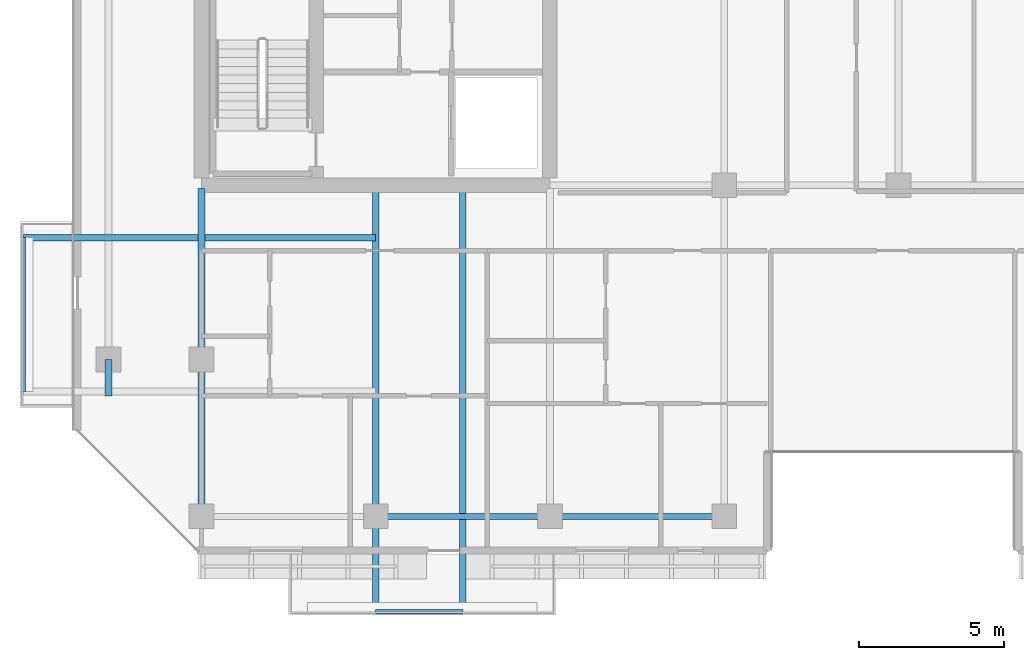
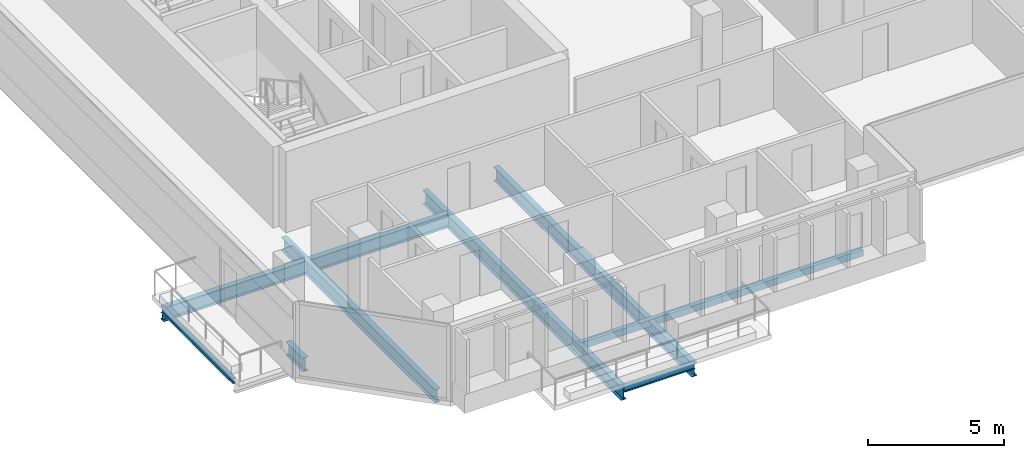
# One storey, part 3 of 30: 9 beams.
"""IFC4 building model written with IfcOpenShell, lengths in metres."""

import ifcopenshell
import ifcopenshell.guid

model = None  # the IFC model being written
_history = None  # IfcOwnerHistory: only IFC2X3 demands one
_inside = {}  # id of a spatial element -> (the spatial element, [elements in it])
_under = {}  # id of a project, library or spatial element -> (it, [spatial elements below it])
_declared = {}  # id of a project -> (the project, [libraries it declares])
_typed = {}  # id of a type object -> (the type object, [elements of that type])
_made_of = {}  # id of a material, layer set ... -> (it, [elements and type objects made of it])


def new_model(schema):
    """Start an empty IFC model of exactly this schema.

    Asked for "IFC4X3", IfcOpenShell would pick the latest addendum, in which some entities
    have other attributes; the version numbers below select the first issue.
    IFC2X3 requires an IfcOwnerHistory on every rooted entity: one is made here for all.
    """
    global model, _history
    if schema == "IFC4X3":
        model = ifcopenshell.file(schema_version=(4, 3, 0, 0))
    else:
        model = ifcopenshell.file(schema=schema)
    _inside.clear()
    _under.clear()
    _declared.clear()
    _typed.clear()
    _made_of.clear()
    _history = None
    if model.schema == "IFC2X3":
        org = make("IfcOrganization", Name="unknown")
        user = make(
            "IfcPersonAndOrganization",
            ThePerson=make("IfcPerson", FamilyName="unknown"),
            TheOrganization=org,
        )
        app = make(
            "IfcApplication",
            ApplicationDeveloper=org,
            Version="unknown",
            ApplicationFullName="unknown",
            ApplicationIdentifier="unknown",
        )
        _history = make(
            "IfcOwnerHistory",
            OwningUser=user,
            OwningApplication=app,
            ChangeAction="ADDED",
            CreationDate=0,
        )
    return model


def make(cls, **values):
    """One entity of the class cls with the attributes given. An attribute that is None is left unset."""
    return model.create_entity(
        cls, **{name: value for name, value in values.items() if value is not None}
    )


def rooted(cls, **values):
    """An entity with a GlobalId (a new one), such as an element, a storey or a relation."""
    return make(cls, GlobalId=ifcopenshell.guid.new(), OwnerHistory=_history, **values)


def si_unit(unit_type, name, prefix=None):
    """IfcSIUnit, for example si_unit("LENGTHUNIT", "METRE", prefix="MILLI")."""
    return make("IfcSIUnit", UnitType=unit_type, Prefix=prefix, Name=name)


def assignment(units):
    """IfcUnitAssignment: the units of a project."""
    return None if units is None else make("IfcUnitAssignment", Units=units)


def point(xyz):
    """IfcCartesianPoint."""
    return None if xyz is None else make("IfcCartesianPoint", Coordinates=xyz)


def direction(xyz):
    """IfcDirection."""
    return None if xyz is None else make("IfcDirection", DirectionRatios=xyz)


def frame(location, z_axis=None, x_axis=None):
    """IfcAxis2Placement3D, a coordinate frame: its origin and axes. An axis left out is left unset."""
    return make(
        "IfcAxis2Placement3D",
        Location=point(location),
        Axis=direction(z_axis),
        RefDirection=direction(x_axis),
    )


def frame_2d(location, x_axis=None):
    """IfcAxis2Placement2D, a coordinate frame in the plane: its origin and x axis."""
    return make(
        "IfcAxis2Placement2D", Location=point(location), RefDirection=direction(x_axis)
    )


def origin():
    """The frame at (0, 0, 0) with its axes left unset."""
    return frame((0.0, 0.0, 0.0))


def origin_2d():
    """The frame at (0, 0) in the plane with its x axis left unset."""
    return frame_2d((0.0, 0.0))


def place(relative_to, where):
    """IfcLocalPlacement: puts the frame where relative to a parent placement (None: the world)."""
    return make(
        "IfcLocalPlacement", PlacementRelTo=relative_to, RelativePlacement=where
    )


def context(
    kind, dimensions, precision=None, world=None, true_north=None, identifier=None
):
    """IfcGeometricRepresentationContext, for example the 3D "Model" context."""
    return make(
        "IfcGeometricRepresentationContext",
        ContextIdentifier=identifier,
        ContextType=kind,
        CoordinateSpaceDimension=dimensions,
        Precision=precision,
        WorldCoordinateSystem=world,
        TrueNorth=true_north,
    )


def subcontext(parent, identifier, kind, view, scale=None):
    """IfcGeometricRepresentationSubContext, for example "Body" below "Model"."""
    return make(
        "IfcGeometricRepresentationSubContext",
        ContextIdentifier=identifier,
        ContextType=kind,
        ParentContext=parent,
        TargetScale=scale,
        TargetView=view,
    )


def project(units=None, contexts=None):
    """IfcProject with its units and contexts."""
    return rooted(
        "IfcProject",
        Name="project",
        RepresentationContexts=contexts,
        UnitsInContext=assignment(units),
    )


def spatial(cls, under=None, at=None, **own):
    """A site, building, storey or space (cls), placed at a placement, below another one or the project."""
    s = rooted(cls, ObjectPlacement=at, **own)
    if under is not None:
        _under.setdefault(under.id(), (under, []))[1].append(s)
    return s


def profile(cls, at=None, kind="AREA", **sizes):
    """A parametric profile (cls). Its sizes go by their IFC names, for example OverallWidth=200.0."""
    return make(cls, ProfileType=kind, Position=at, **sizes)


def hollow_rectangle(**sizes):
    """IfcRectangleHollowProfileDef."""
    return profile("IfcRectangleHollowProfileDef", **sizes)


def i_section(**sizes):
    """IfcIShapeProfileDef."""
    return profile("IfcIShapeProfileDef", **sizes)


def extrude(swept, where, along, depth):
    """IfcExtrudedAreaSolid: the profile swept, set in the frame where, extruded along a direction by depth."""
    return make(
        "IfcExtrudedAreaSolid",
        SweptArea=swept,
        Position=where,
        ExtrudedDirection=direction(along),
        Depth=depth,
    )


def shape(context_of_items, identifier, shape_type, items):
    """IfcShapeRepresentation: the items that make up one representation, for example the "Body"."""
    return make(
        "IfcShapeRepresentation",
        ContextOfItems=context_of_items,
        RepresentationIdentifier=identifier,
        RepresentationType=shape_type,
        Items=items,
    )


def material(Name=None, Category=None):
    """IfcMaterial."""
    return make("IfcMaterial", Name=Name, Category=Category)


def material_profile(
    of_material, cross_section, Name=None, Category=None, Priority=None
):
    """IfcMaterialProfile: a cross section and its material."""
    return make(
        "IfcMaterialProfile",
        Name=Name,
        Material=of_material,
        Profile=cross_section,
        Priority=Priority,
        Category=Category,
    )


def profile_set(profiles, Name=None, composite=None):
    """IfcMaterialProfileSet."""
    return make(
        "IfcMaterialProfileSet",
        Name=Name,
        MaterialProfiles=profiles,
        CompositeProfile=composite,
    )


def made_of(thing, what):
    """Note that an element or type object is made of a material, layer set ...; save() writes the relation."""
    if what is not None:
        _made_of.setdefault(what.id(), (what, []))[1].append(thing)
    return thing


def type_object(cls, material=None, **own):
    """A type object (cls), such as IfcWallType, which elements share."""
    return made_of(rooted(cls, **own), material)


def element(
    cls,
    number,
    at=None,
    inside=None,
    cuts=None,
    type_object=None,
    material=None,
    context=None,
    identifier="Body",
    shape_type=None,
    held_by="IfcProductDefinitionShape",
    body=None,
    shapes=None,
    **own,
):
    """One element of the class cls, such as IfcWall. Its Tag is "e" and its number.

    at: its placement. inside: the storey or other place that contains it. cuts: it is an
    opening in that element (IfcRelVoidsElement). A single representation is given by context,
    identifier, shape_type and body (its items); several are given by shapes. held_by: the class
    of the entity that holds the representations. save() writes the other relations.
    """
    e = rooted(cls, Tag="e%d" % number, ObjectPlacement=at, **own)
    if body is not None:
        shapes = [shape(context, identifier, shape_type, body)]
    if shapes is not None:
        e.Representation = make(held_by, Representations=shapes)
    if inside is not None:
        _inside.setdefault(inside.id(), (inside, []))[1].append(e)
    if cuts is not None:
        rooted(
            "IfcRelVoidsElement", RelatingBuildingElement=cuts, RelatedOpeningElement=e
        )
    if type_object is not None:
        _typed.setdefault(type_object.id(), (type_object, []))[1].append(e)
    return made_of(e, material)


def aggregate(whole, parts):
    """IfcRelAggregates: a whole, such as a stair, and the parts it consists of."""
    return rooted("IfcRelAggregates", RelatingObject=whole, RelatedObjects=parts)


def save(model, path):
    """Write the relations noted so far, then the file.

    IfcRelAggregates (storeys below a building ...), IfcRelContainedInSpatialStructure (elements
    in a storey), IfcRelDefinesByType, IfcRelAssociatesMaterial and IfcRelDeclares: one each for
    every whole, place, type object, material and project.
    """
    for whole, parts in _under.values():
        aggregate(whole, parts)
    for where, things in _inside.values():
        rooted(
            "IfcRelContainedInSpatialStructure",
            RelatedElements=things,
            RelatingStructure=where,
        )
    for kind, things in _typed.values():
        rooted("IfcRelDefinesByType", RelatedObjects=things, RelatingType=kind)
    for what, things in _made_of.values():
        rooted("IfcRelAssociatesMaterial", RelatedObjects=things, RelatingMaterial=what)
    for by, libraries in _declared.values():
        rooted("IfcRelDeclares", RelatingContext=by, RelatedDefinitions=libraries)
    model.write(path)


model = new_model("IFC4")

# Units and contexts
model_context = context("Model", 3, precision=1e-05, world=origin(), true_north=direction((0.0, 1.0)))
body_context = subcontext(model_context, "Body", "Model", "MODEL_VIEW")
ifc_project = project(units=[si_unit("LENGTHUNIT", "METRE"), si_unit("AREAUNIT", "SQUARE_METRE"), si_unit("VOLUMEUNIT", "CUBIC_METRE"), si_unit("PLANEANGLEUNIT", "RADIAN"), si_unit("MASSUNIT", "GRAM", prefix="KILO")], contexts=[model_context])

# Site, building, storey
site_placement = place(None, origin())
site = spatial("IfcSite", under=ifc_project, at=site_placement, CompositionType="ELEMENT")
building_placement = place(site_placement, origin())
building = spatial("IfcBuilding", under=site, at=building_placement, Name="Tanjung Sevakor Pilgrim Tower", CompositionType="ELEMENT")
storey_placement = place(building_placement, frame((0.0, 0.0, 165.659912109375)))
storey = spatial("IfcBuildingStorey", under=building, at=storey_placement, Name="L46", CompositionType="ELEMENT", Elevation=165.659912109375)

# Beams
ifc_material_1 = material(Name="Steel S355J2", Category="steel")
ifc_material_profile_1 = material_profile(ifc_material_1, i_section(OverallWidth=0.22900390625, OverallDepth=0.6123046875, WebThickness=0.011962890625, FlangeThickness=0.01953125, FilletRadius=0.0126953125, at=origin_2d()))
ifc_profile_set_1 = profile_set([ifc_material_profile_1], Name="Steel S355J2")
beam_type_1 = type_object("IfcBeamType", Name="BM-B-G4-UB_610x229x125", PredefinedType="BEAM", material=ifc_profile_set_1)
beam_1_placement = place(storey_placement, frame((20.800048828125, 18.60009765625, -0.526123046875), z_axis=(0.0, -1.0, 0.0), x_axis=(1.0, 0.0, 0.0)))
element("IfcBeam", 1, at=beam_1_placement, inside=storey, type_object=beam_type_1, Name="L46 Short-End Edge Extension S-W", PredefinedType="BEAM", context=body_context, shape_type="SweptSolid", body=[
    extrude(i_section(OverallWidth=0.22900390625, OverallDepth=0.6123046875, WebThickness=0.011962890625, FlangeThickness=0.01953125, FilletRadius=0.0126953125, at=origin_2d()), origin(), (0.0, 0.0, 1.0), 1.25),
])
beam_2_placement = place(storey_placement, frame((30.0, 22.800048828125, -0.526123046875), z_axis=(-1.0, 0.0, 0.0), x_axis=(0.0, -1.0, 0.0)))
element("IfcBeam", 2, at=beam_2_placement, inside=storey, type_object=beam_type_1, Name="L46 Balcony Overhanging Beam MAIN-W1-2", PredefinedType="BEAM", context=body_context, shape_type="SweptSolid", body=[
    extrude(i_section(OverallWidth=0.22900390625, OverallDepth=0.6123046875, WebThickness=0.011962890625, FlangeThickness=0.01953125, FilletRadius=0.0126953125, at=origin_2d()), origin(), (0.0, 0.0, 1.0), 12.1298828125),
])
beam_3_placement = place(storey_placement, frame((24.0, 13.199951171875, -0.526123046875), z_axis=(0.0, 1.0, 0.0), x_axis=(-1.0, 0.0, 0.0)))
element("IfcBeam", 3, at=beam_3_placement, inside=storey, type_object=beam_type_1, Name="L46 MAIN Girder 001", PredefinedType="BEAM", context=body_context, shape_type="SweptSolid", body=[
    extrude(i_section(OverallWidth=0.22900390625, OverallDepth=0.6123046875, WebThickness=0.011962890625, FlangeThickness=0.01953125, FilletRadius=0.0126953125, at=origin_2d()), origin(), (0.0, 0.0, 1.0), 11.284912109375),
])
for number, where, z_axis, x_axis, name in (
    (4, (30.0, 24.48486328125, -0.526123046875), (0.0, -1.0, 0.0), (1.0, 0.0, 0.0), "L46 Balcony Cantilever Beam MAIN-S1-1"),
    (5, (33.0, 24.48486328125, -0.526123046875), (0.0, -1.0, 0.0), (1.0, 0.0, 0.0), "L46 Balcony Cantilever Beam MAIN-S1-2"),
):
    element("IfcBeam", number, at=place(storey_placement, frame(where, z_axis=z_axis, x_axis=x_axis)), inside=storey, type_object=beam_type_1, Name=name, PredefinedType="BEAM", context=body_context, shape_type="SweptSolid", body=[
        extrude(i_section(OverallWidth=0.22900390625, OverallDepth=0.6123046875, WebThickness=0.011962890625, FlangeThickness=0.01953125, FilletRadius=0.0126953125, at=origin_2d()), origin(), (0.0, 0.0, 1.0), 14.56494140625),
    ])
ifc_material_2 = material(Name="Steel S355J2", Category="steel")
ifc_material_profile_2 = material_profile(ifc_material_2, i_section(OverallWidth=0.146484375, OverallDepth=0.256103515625, WebThickness=0.00634765625, FlangeThickness=0.010986328125, FilletRadius=0.007568359375, at=origin_2d()))
ifc_profile_set_2 = profile_set([ifc_material_profile_2], Name="Steel S355J2")
beam_type_2 = type_object("IfcBeamType", Name="BM-B-J6-UB_254x146x37", PredefinedType="JOIST", material=ifc_profile_set_2)
beam_4_placement = place(storey_placement, frame((30.0, 9.919921875, -0.327880859375), z_axis=(1.0, 0.0, 0.0), x_axis=(0.0, 1.0, 0.0)))
element("IfcBeam", 6, at=beam_4_placement, inside=storey, type_object=beam_type_2, Name="L46 Balcony Rim Tie MAIN-S1", PredefinedType="JOIST", context=body_context, shape_type="SweptSolid", body=[
    extrude(i_section(OverallWidth=0.146484375, OverallDepth=0.256103515625, WebThickness=0.00634765625, FlangeThickness=0.010986328125, FilletRadius=0.007568359375, at=origin_2d()), origin(), (0.0, 0.0, 1.0), 3.0),
])
beam_5_placement = place(storey_placement, frame((17.8701171875, 17.5, -0.327880859375), z_axis=(0.0, 1.0, 0.0), x_axis=(-1.0, 0.0, 0.0)))
element("IfcBeam", 7, at=beam_5_placement, inside=storey, type_object=beam_type_2, Name="L46 Balcony Rim Tie MAIN-W1", PredefinedType="JOIST", context=body_context, shape_type="SweptSolid", body=[
    extrude(i_section(OverallWidth=0.146484375, OverallDepth=0.256103515625, WebThickness=0.00634765625, FlangeThickness=0.010986328125, FilletRadius=0.007568359375, at=origin_2d()), origin(), (0.0, 0.0, 1.0), 5.300048828125),
])
ifc_material_3 = material(Name="Steel S355J2", Category="steel")
ifc_material_profile_3 = material_profile(ifc_material_3, hollow_rectangle(XDim=0.199951171875, YDim=0.300048828125, WallThickness=0.012451171875, at=origin_2d()))
ifc_profile_set_3 = profile_set([ifc_material_profile_3], Name="Steel S355J2")
beam_type_3 = type_object("IfcBeamType", Name="BM-B-SP3-RHS_300x200x12.5", PredefinedType="SPANDREL", material=ifc_profile_set_3)
for number, where, z_axis, x_axis, name in (
    (8, (30.0, 13.199951171875, -0.369873046875), (1.0, 0.0, 0.0), (0.0, 1.0, 0.0), "L46 Spandrel MAIN S-03"),
    (9, (36.0, 13.199951171875, -0.369873046875), (1.0, 0.0, 0.0), (0.0, 1.0, 0.0), "L46 Spandrel MAIN S-05"),
):
    element("IfcBeam", number, at=place(storey_placement, frame(where, z_axis=z_axis, x_axis=x_axis)), inside=storey, type_object=beam_type_3, Name=name, PredefinedType="SPANDREL", context=body_context, shape_type="SweptSolid", body=[
        extrude(hollow_rectangle(XDim=0.199951171875, YDim=0.300048828125, WallThickness=0.012451171875, at=origin_2d()), origin(), (0.0, 0.0, 1.0), 6.0),
    ])

save(model, "model.ifc")
